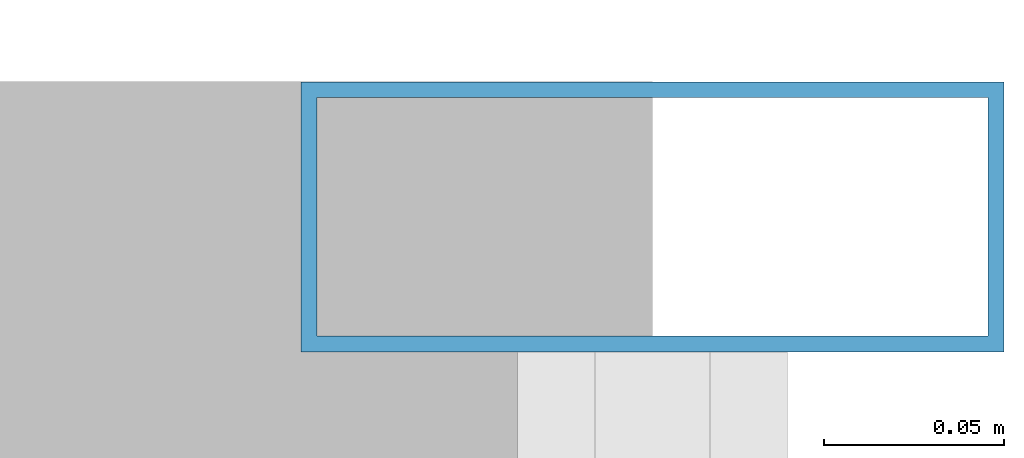
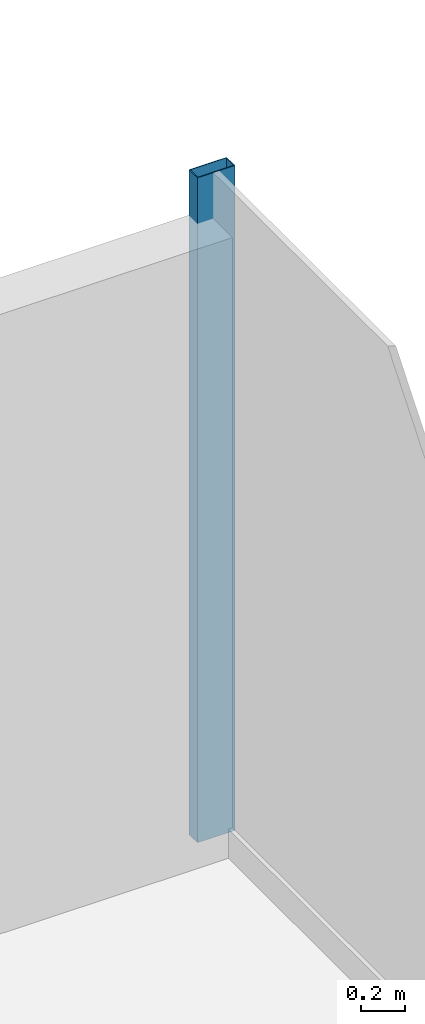
# One storey, part 12 of 19: 1 member, 1 element without a shape of its own.
"""IFC4 building model written with IfcOpenShell, lengths in metres."""

from ifc_helpers import new_model, si_unit, derived_unit, direction, frame, origin, origin_2d, place, context, subcontext, project, spatial, hollow_rectangle, extrude, source, transform, mapped, material, material_profile, profile_set, type_object, element, aggregate, save


model = new_model("IFC4")

# Units and contexts
model_context = context("Model", 3, precision=1e-05, world=origin(), true_north=direction((0.0, 1.0)))
body_context = subcontext(model_context, "Body", "Model", "MODEL_VIEW")
ifc_project = project(units=[si_unit("LENGTHUNIT", "METRE"), si_unit("AREAUNIT", "SQUARE_METRE"), si_unit("VOLUMEUNIT", "CUBIC_METRE"), si_unit("PLANEANGLEUNIT", "RADIAN"), si_unit("MASSUNIT", "GRAM", prefix="KILO"), derived_unit("THERMALTRANSMITTANCEUNIT", [(si_unit("POWERUNIT", "WATT"), 1), (si_unit("LENGTHUNIT", "METRE"), -2), (si_unit("THERMODYNAMICTEMPERATUREUNIT", "KELVIN"), -1)])], contexts=[model_context])

# Site, building, storey
site_placement = place(None, origin())
site = spatial("IfcSite", under=ifc_project, at=site_placement, CompositionType="ELEMENT")
building_placement = place(site_placement, origin())
building = spatial("IfcBuilding", under=site, at=building_placement, Name="Skarnbrae Concourse Arena and Tower", CompositionType="ELEMENT")
storey_placement = place(building_placement, frame((0.0, 0.0, 180.75)))
storey = spatial("IfcBuildingStorey", under=building, at=storey_placement, Name="L46", CompositionType="ELEMENT", Elevation=180.75)

# Curtain wall, member
ifc_material = material(Name="Bronze anodised aluminium 6063-T6", Category="aluminium")
curtain_wall_type = type_object("IfcCurtainWallType", Name="CW-SYS-04-MIDZONE", PredefinedType="USERDEFINED", material=ifc_material)
curtain_wall_placement = place(storey_placement, origin())
curtain_wall = element("IfcCurtainWall", 1, at=curtain_wall_placement, inside=storey, type_object=curtain_wall_type, Name="L46 Unitised curtain wall CW-L46-E04", ObjectType="UNITISED CURTAIN WALL", PredefinedType="USERDEFINED")
ifc_material_profile = material_profile(ifc_material, hollow_rectangle(XDim=0.074951171875, YDim=0.195068359375, WallThickness=0.00439453125, at=origin_2d()), Name="ALU-MULL-75X195")
ifc_profile_set = profile_set([ifc_material_profile], Name="Bronze anodised aluminium 6063-T6")
member_type = type_object("IfcMemberType", Name="CWM-CW-04", PredefinedType="MULLION", material=ifc_profile_set)
shared_shape = source(origin(), body_context, "Body", "SweptSolid", [
    extrude(hollow_rectangle(XDim=0.074951171875, YDim=0.195068359375, WallThickness=0.00439453125, at=origin_2d()), origin(), (0.0, 0.0, 1.0), 3.64990234375),
])
member_placement = place(storey_placement, frame((50.0, 32.96240234375, 0.0), z_axis=(0.0, 0.0, 1.0), x_axis=(0.0, 1.0, 0.0)))
member = element("IfcMember", 2, at=member_placement, type_object=member_type, Name="CW-L46-E04 Mullion 5", PredefinedType="MULLION", context=body_context, shape_type="MappedRepresentation", body=[
    mapped(shared_shape, transform((0.0, 0.0, 0.0))),
])
aggregate(curtain_wall, [member])

save(model, "model.ifc")
